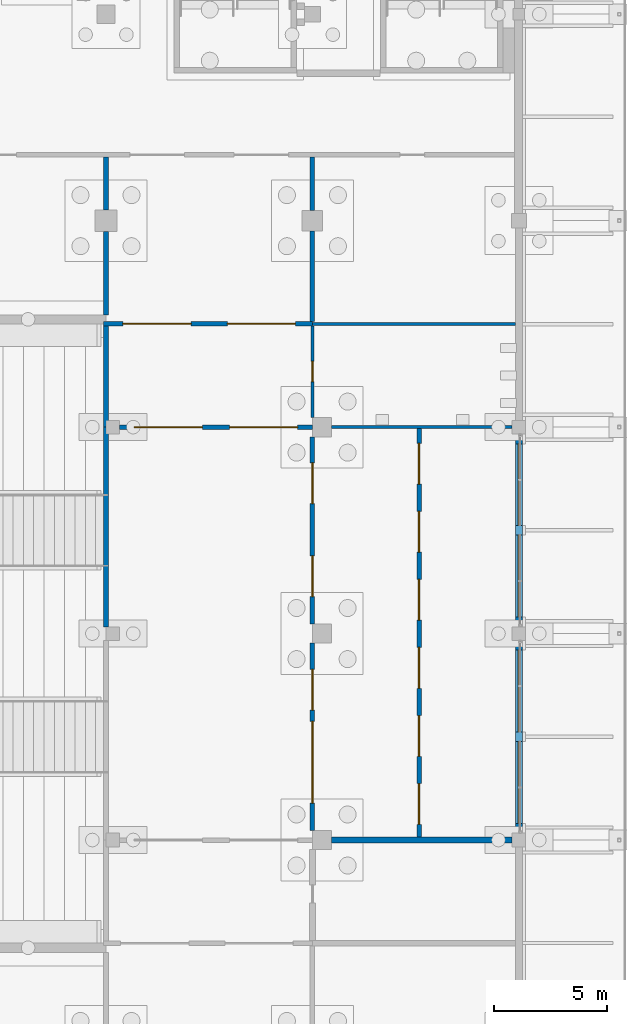
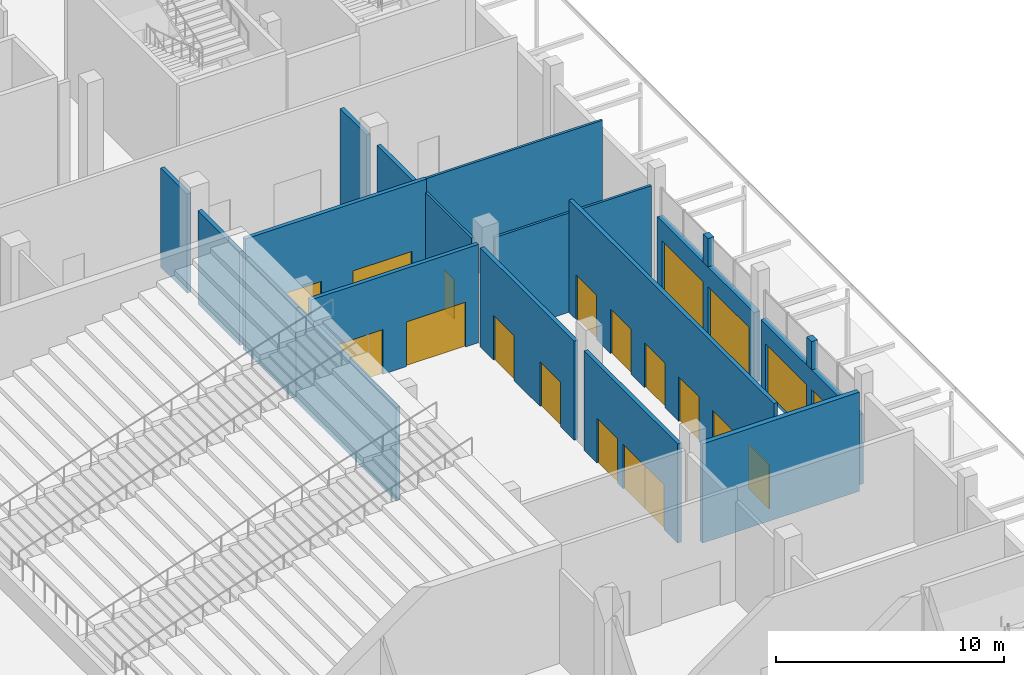
# One storey, part 85 of 129: 20 doors, 19 walls, 20 openings.
"""IFC4 building model written with IfcOpenShell, lengths in metres."""

from ifc_helpers import new_model, si_unit, direction, frame, frame_2d, origin, place, context, subcontext, project, spatial, rectangle, extrude, material, layer, layer_set, type_object, element, fill, save


model = new_model("IFC4")

# Units and contexts
model_context = context("Model", 3, precision=1e-05, world=origin(), true_north=direction((0.0, 1.0)))
body_context = subcontext(model_context, "Body", "Model", "MODEL_VIEW")
ifc_project = project(units=[si_unit("LENGTHUNIT", "METRE"), si_unit("AREAUNIT", "SQUARE_METRE"), si_unit("VOLUMEUNIT", "CUBIC_METRE"), si_unit("PLANEANGLEUNIT", "RADIAN"), si_unit("MASSUNIT", "GRAM", prefix="KILO")], contexts=[model_context])

# Site, building, storey
site_placement = place(None, origin())
site = spatial("IfcSite", under=ifc_project, at=site_placement, CompositionType="ELEMENT")
building_placement = place(site_placement, origin())
building = spatial("IfcBuilding", under=site, at=building_placement, Name="Shirokan Park Arena", CompositionType="ELEMENT")
storey_placement = place(building_placement, origin())
storey = spatial("IfcBuildingStorey", under=building, at=storey_placement, Name="L00", CompositionType="ELEMENT", Elevation=0.0)

# Wall, openings, doors
ifc_material_1 = material(Name="Board-formed concrete C40/50", Category="concrete")
ifc_layer_1 = layer(ifc_material_1, 0.1201171875, Name="Board-formed concrete C40/50")
ifc_material_2 = material(Name="Mineral wool insulation")
ifc_layer_2 = layer(ifc_material_2, 0.10009765625, Name="Mineral wool insulation")
ifc_material_3 = material(Name="Concrete C35", Category="concrete")
ifc_layer_3 = layer(ifc_material_3, 0.080078125, Name="Concrete C35")
ifc_layer_set_1 = layer_set([ifc_layer_1, ifc_layer_2, ifc_layer_3], Name="Board-formed concrete C40/50 + Mineral wool insulation + Concrete C35")
wall_type_1 = type_object("IfcWallType", Name="Board-formed concrete base wall 300", PredefinedType="SOLIDWALL", material=ifc_layer_set_1)
wall_1_placement = place(storey_placement, frame((145.60009765625, 45.800048828125, 0.0), z_axis=(0.0, 0.0, 1.0), x_axis=(0.0, 1.0, 0.0)))
wall_1 = element("IfcWall", 1, at=wall_1_placement, inside=storey, type_object=wall_type_1, Name="East facade wall bay 6 L00", PredefinedType="SOLIDWALL", context=body_context, shape_type="SweptSolid", body=[
    extrude(rectangle(XDim=8.5, YDim=0.300048828125, at=frame_2d((4.25, 0.0))), origin(), (0.0, 0.0, 1.0), 3.75),
])
opening_1_placement = place(wall_1_placement, frame((0.43505859375, 0.0, 0.0)))
opening_1 = element("IfcOpeningElement", 2, at=opening_1_placement, cuts=wall_1, Name="Opening E2-1", PredefinedType="OPENING", context=body_context, shape_type="SweptSolid", body=[
    extrude(rectangle(XDim=3.60009765625, YDim=2.699951171875, at=frame_2d((1.800048828125, 1.35009765625))), frame((0.0, 0.159912109375, 0.0), z_axis=(0.0, -1.0, 0.0), x_axis=(1.0, 0.0, 0.0)), (0.0, 0.0, 1.0), 0.320068359375),
])
opening_2_placement = place(wall_1_placement, frame((4.465087890625, 0.0, 0.0)))
opening_2 = element("IfcOpeningElement", 3, at=opening_2_placement, cuts=wall_1, Name="Opening E2-2", PredefinedType="OPENING", context=body_context, shape_type="SweptSolid", body=[
    extrude(rectangle(XDim=3.60009765625, YDim=2.699951171875, at=frame_2d((1.800048828125, 1.35009765625))), frame((0.0, 0.159912109375, 0.0), z_axis=(0.0, -1.0, 0.0), x_axis=(1.0, 0.0, 0.0)), (0.0, 0.0, 1.0), 0.320068359375),
])
ifc_material_4 = material(Name="Aluminium and glass door", Category="aluminium")
door_type_1 = type_object("IfcDoorType", Name="Entrance door pair 3600x2700", OperationType="DOUBLE_DOOR_SINGLE_SWING", PredefinedType="DOOR", material=ifc_material_4)
door_1_placement = place(opening_1_placement, frame((3.60009765625, 0.0, 0.0), z_axis=(0.0, 0.0, 1.0), x_axis=(-1.0, 0.0, 0.0)))
door_1 = element("IfcDoor", 4, at=door_1_placement, inside=storey, type_object=door_type_1, Name="Entrance E2 door 1", OperationType="DOUBLE_DOOR_SINGLE_SWING", OverallHeight=2.699951171875, OverallWidth=3.60009765625, PredefinedType="DOOR", context=body_context, shape_type="SweptSolid", body=[
    extrude(rectangle(XDim=3.60009765625, YDim=2.699951171875, at=frame_2d((1.800048828125, 1.35009765625))), frame((0.0, 0.02490234375, 0.0), z_axis=(0.0, -1.0, 0.0), x_axis=(1.0, 0.0, 0.0)), (0.0, 0.0, 1.0), 0.050048828125),
])
fill(opening_1, door_1)
door_2_placement = place(opening_2_placement, frame((3.60009765625, 0.0, 0.0), z_axis=(0.0, 0.0, 1.0), x_axis=(-1.0, 0.0, 0.0)))
door_2 = element("IfcDoor", 5, at=door_2_placement, inside=storey, type_object=door_type_1, Name="Entrance E2 door 2", OperationType="DOUBLE_DOOR_SINGLE_SWING", OverallHeight=2.699951171875, OverallWidth=3.60009765625, PredefinedType="DOOR", context=body_context, shape_type="SweptSolid", body=[
    extrude(rectangle(XDim=3.60009765625, YDim=2.699951171875, at=frame_2d((1.800048828125, 1.35009765625))), frame((0.0, 0.02490234375, 0.0), z_axis=(0.0, -1.0, 0.0), x_axis=(1.0, 0.0, 0.0)), (0.0, 0.0, 1.0), 0.050048828125),
])
fill(opening_2, door_2)

# Wall
wall_2_placement = place(storey_placement, frame((145.60009765625, 49.8349609375, 3.75), z_axis=(0.0, 0.0, 1.0), x_axis=(0.0, 1.0, 0.0)))
element("IfcWall", 6, at=wall_2_placement, inside=storey, type_object=wall_type_1, Name="East facade pier over the doors bay 6 L00", PredefinedType="SOLIDWALL", context=body_context, shape_type="SweptSolid", body=[
    extrude(rectangle(XDim=0.429931640625, YDim=0.300048828125, at=frame_2d((0.21484375, 0.0))), origin(), (0.0, 0.0, 1.0), 1.52001953125),
])

# Wall, openings, doors
wall_3_placement = place(storey_placement, frame((145.60009765625, 54.89990234375, 0.0), z_axis=(0.0, 0.0, 1.0), x_axis=(0.0, 1.0, 0.0)))
wall_3 = element("IfcWall", 7, at=wall_3_placement, inside=storey, type_object=wall_type_1, Name="East facade wall bay 7 L00", PredefinedType="SOLIDWALL", context=body_context, shape_type="SweptSolid", body=[
    extrude(rectangle(XDim=8.5, YDim=0.300048828125, at=frame_2d((4.25, 0.0))), origin(), (0.0, 0.0, 1.0), 3.75),
])
opening_3_placement = place(wall_3_placement, frame((0.43505859375, 0.0, 0.0)))
opening_3 = element("IfcOpeningElement", 8, at=opening_3_placement, cuts=wall_3, Name="Opening E2-3", PredefinedType="OPENING", context=body_context, shape_type="SweptSolid", body=[
    extrude(rectangle(XDim=3.60009765625, YDim=2.699951171875, at=frame_2d((1.800048828125, 1.35009765625))), frame((0.0, 0.159912109375, 0.0), z_axis=(0.0, -1.0, 0.0), x_axis=(1.0, 0.0, 0.0)), (0.0, 0.0, 1.0), 0.320068359375),
])
opening_4_placement = place(wall_3_placement, frame((4.465087890625, 0.0, 0.0)))
opening_4 = element("IfcOpeningElement", 9, at=opening_4_placement, cuts=wall_3, Name="Opening E2-4", PredefinedType="OPENING", context=body_context, shape_type="SweptSolid", body=[
    extrude(rectangle(XDim=3.60009765625, YDim=2.699951171875, at=frame_2d((1.800048828125, 1.35009765625))), frame((0.0, 0.159912109375, 0.0), z_axis=(0.0, -1.0, 0.0), x_axis=(1.0, 0.0, 0.0)), (0.0, 0.0, 1.0), 0.320068359375),
])
door_3_placement = place(opening_3_placement, frame((3.60009765625, 0.0, 0.0), z_axis=(0.0, 0.0, 1.0), x_axis=(-1.0, 0.0, 0.0)))
door_3 = element("IfcDoor", 10, at=door_3_placement, inside=storey, type_object=door_type_1, Name="Entrance E2 door 3", OperationType="DOUBLE_DOOR_SINGLE_SWING", OverallHeight=2.699951171875, OverallWidth=3.60009765625, PredefinedType="DOOR", context=body_context, shape_type="SweptSolid", body=[
    extrude(rectangle(XDim=3.60009765625, YDim=2.699951171875, at=frame_2d((1.800048828125, 1.35009765625))), frame((0.0, 0.02490234375, 0.0), z_axis=(0.0, -1.0, 0.0), x_axis=(1.0, 0.0, 0.0)), (0.0, 0.0, 1.0), 0.050048828125),
])
fill(opening_3, door_3)
door_4_placement = place(opening_4_placement, frame((3.60009765625, 0.0, 0.0), z_axis=(0.0, 0.0, 1.0), x_axis=(-1.0, 0.0, 0.0)))
door_4 = element("IfcDoor", 11, at=door_4_placement, inside=storey, type_object=door_type_1, Name="Entrance E2 door 4", OperationType="DOUBLE_DOOR_SINGLE_SWING", OverallHeight=2.699951171875, OverallWidth=3.60009765625, PredefinedType="DOOR", context=body_context, shape_type="SweptSolid", body=[
    extrude(rectangle(XDim=3.60009765625, YDim=2.699951171875, at=frame_2d((1.800048828125, 1.35009765625))), frame((0.0, 0.02490234375, 0.0), z_axis=(0.0, -1.0, 0.0), x_axis=(1.0, 0.0, 0.0)), (0.0, 0.0, 1.0), 0.050048828125),
])
fill(opening_4, door_4)

# Walls
wall_4_placement = place(storey_placement, frame((145.60009765625, 58.93505859375, 3.75), z_axis=(0.0, 0.0, 1.0), x_axis=(0.0, 1.0, 0.0)))
element("IfcWall", 12, at=wall_4_placement, inside=storey, type_object=wall_type_1, Name="East facade pier over the doors bay 7 L00", PredefinedType="SOLIDWALL", context=body_context, shape_type="SweptSolid", body=[
    extrude(rectangle(XDim=0.429931640625, YDim=0.300048828125, at=frame_2d((0.21484375, 0.0))), origin(), (0.0, 0.0, 1.0), 1.52001953125),
])
ifc_material_5 = material(Name="Plaster")
ifc_layer_4 = layer(ifc_material_5, 0.014892578125, Name="Plaster")
ifc_material_6 = material(Name="Concrete blockwork", Category="masonry")
ifc_layer_5 = layer(ifc_material_6, 0.219970703125, Name="Concrete blockwork 220")
ifc_layer_6 = layer(ifc_material_5, 0.014892578125, Name="Plaster")
ifc_layer_set_2 = layer_set([ifc_layer_4, ifc_layer_5, ifc_layer_6], Name="Plaster + Concrete blockwork 220")
wall_type_2 = type_object("IfcWallType", Name="Compartment wall 250", PredefinedType="SOLIDWALL", material=ifc_layer_set_2)
wall_5_placement = place(storey_placement, frame((137.35009765625, 45.5, 0.0), z_axis=(0.0, 0.0, 1.0), x_axis=(1.0, 0.0, 0.0)))
element("IfcWall", 13, at=wall_5_placement, inside=storey, type_object=wall_type_2, Name="Compartment wall 250 L00", PredefinedType="SOLIDWALL", context=body_context, shape_type="SweptSolid", body=[
    extrude(rectangle(XDim=7.949951171875, YDim=0.25, at=frame_2d((3.97509765625, 0.0))), origin(), (0.0, 0.0, 1.0), 5.320068359375),
])
ifc_material_7 = material(Name="Gypsum board")
ifc_layer_7 = layer(ifc_material_7, 0.02490234375, Name="Gypsum board, two layers")
ifc_layer_8 = layer(ifc_material_2, 0.14990234375, Name="Mineral wool insulation")
ifc_layer_9 = layer(ifc_material_7, 0.02490234375, Name="Gypsum board, two layers")
ifc_layer_set_3 = layer_set([ifc_layer_7, ifc_layer_8, ifc_layer_9], Name="Gypsum board, two layers + Mineral wool insulation")
wall_type_3 = type_object("IfcWallType", Name="Corridor wall 200", PredefinedType="PARTITIONING", material=ifc_layer_set_3)
wall_6_placement = place(storey_placement, frame((127.39990234375, 54.89990234375, 0.0), z_axis=(0.0, 0.0, 1.0), x_axis=(0.0, 1.0, 0.0)))
element("IfcWall", 14, at=wall_6_placement, inside=storey, type_object=wall_type_3, Name="Corridor wall 200 L00", PredefinedType="PARTITIONING", context=body_context, shape_type="SweptSolid", body=[
    extrude(rectangle(XDim=8.800048828125, YDim=0.199951171875, at=frame_2d((4.39990234375, 0.0))), origin(), (0.0, 0.0, 1.0), 5.02001953125),
])
wall_7_placement = place(storey_placement, frame((127.39990234375, 63.699951171875, 0.0), z_axis=(0.0, 0.0, 1.0), x_axis=(0.0, 1.0, 0.0)))
element("IfcWall", 15, at=wall_7_placement, inside=storey, type_object=wall_type_3, Name="Corridor wall 200 L00", PredefinedType="PARTITIONING", context=body_context, shape_type="SweptSolid", body=[
    extrude(rectangle(XDim=4.449951171875, YDim=0.199951171875, at=frame_2d((2.22509765625, 0.0))), origin(), (0.0, 0.0, 1.0), 5.02001953125),
])
wall_8_placement = place(storey_placement, frame((127.39990234375, 72.324951171875, 0.0), z_axis=(0.0, 0.0, 1.0), x_axis=(0.0, -1.0, 0.0)))
element("IfcWall", 16, at=wall_8_placement, inside=storey, type_object=wall_type_3, Name="Corridor wall 200 L00", PredefinedType="PARTITIONING", context=body_context, shape_type="SweptSolid", body=[
    extrude(rectangle(XDim=3.675048828125, YDim=0.199951171875, at=frame_2d((1.83740234375, 0.0))), origin(), (0.0, 0.0, 1.0), 5.02001953125),
])
wall_9_placement = place(storey_placement, frame((127.39990234375, 75.60009765625, 0.0), z_axis=(0.0, 0.0, 1.0), x_axis=(0.0, -1.0, 0.0)))
element("IfcWall", 17, at=wall_9_placement, inside=storey, type_object=wall_type_3, Name="Corridor wall 200 L00", PredefinedType="PARTITIONING", context=body_context, shape_type="SweptSolid", body=[
    extrude(rectangle(XDim=2.3251953125, YDim=0.199951171875, at=frame_2d((1.16259765625, 0.0))), origin(), (0.0, 0.0, 1.0), 5.320068359375),
])

# Wall, openings, doors
wall_10_placement = place(storey_placement, frame((136.5, 54.175048828125, 0.0), z_axis=(0.0, 0.0, 1.0), x_axis=(0.0, -1.0, 0.0)))
wall_10 = element("IfcWall", 18, at=wall_10_placement, inside=storey, type_object=wall_type_3, Name="Corridor wall 200 L00", PredefinedType="PARTITIONING", context=body_context, shape_type="SweptSolid", body=[
    extrude(rectangle(XDim=8.25, YDim=0.199951171875, at=frame_2d((4.125, 0.0))), origin(), (0.0, 0.0, 1.0), 5.320068359375),
])
opening_5_placement = place(wall_10_placement, frame((1.14990234375, 0.0, 0.0)))
opening_5 = element("IfcOpeningElement", 19, at=opening_5_placement, cuts=wall_10, Name="Opening D-0105", PredefinedType="OPENING", context=body_context, shape_type="SweptSolid", body=[
    extrude(rectangle(XDim=1.800048828125, YDim=2.39990234375, at=frame_2d((0.89990234375, 1.199951171875))), frame((0.0, 0.10986328125, 0.0), z_axis=(0.0, -1.0, 0.0), x_axis=(1.0, 0.0, 0.0)), (0.0, 0.0, 1.0), 0.219970703125),
])
opening_6_placement = place(wall_10_placement, frame((5.25, 0.0, 0.0)))
opening_6 = element("IfcOpeningElement", 20, at=opening_6_placement, cuts=wall_10, Name="Opening D-0106", PredefinedType="OPENING", context=body_context, shape_type="SweptSolid", body=[
    extrude(rectangle(XDim=1.800048828125, YDim=2.39990234375, at=frame_2d((0.89990234375, 1.199951171875))), frame((0.0, 0.10986328125, 0.0), z_axis=(0.0, -1.0, 0.0), x_axis=(1.0, 0.0, 0.0)), (0.0, 0.0, 1.0), 0.219970703125),
])
opening_7_placement = place(wall_10_placement, frame((3.449951171875, 0.0, 0.0)))
opening_7 = element("IfcOpeningElement", 21, at=opening_7_placement, cuts=wall_10, Name="Opening D-0107", PredefinedType="OPENING", context=body_context, shape_type="SweptSolid", body=[
    extrude(rectangle(XDim=1.800048828125, YDim=2.39990234375, at=frame_2d((0.89990234375, 1.199951171875))), frame((0.0, 0.10986328125, 0.0), z_axis=(0.0, -1.0, 0.0), x_axis=(1.0, 0.0, 0.0)), (0.0, 0.0, 1.0), 0.219970703125),
])
ifc_material_8 = material(Name="Glazed steel door set, fire resisting", Category="steel")
door_type_2 = type_object("IfcDoorType", Name="Lift lobby door 1800 x 2400", OperationType="DOUBLE_DOOR_SINGLE_SWING", PredefinedType="DOOR", material=ifc_material_8)
door_5_placement = place(opening_5_placement, origin())
door_5 = element("IfcDoor", 22, at=door_5_placement, inside=storey, type_object=door_type_2, Name="Door between Entrance Concourse E2 and Security Screening Hall E2 D-0105", OperationType="DOUBLE_DOOR_SINGLE_SWING", OverallHeight=2.39990234375, OverallWidth=1.800048828125, PredefinedType="DOOR", context=body_context, shape_type="SweptSolid", body=[
    extrude(rectangle(XDim=1.800048828125, YDim=2.39990234375, at=frame_2d((0.89990234375, 1.199951171875))), frame((0.0, 0.02490234375, 0.0), z_axis=(0.0, -1.0, 0.0), x_axis=(1.0, 0.0, 0.0)), (0.0, 0.0, 1.0), 0.050048828125),
])
fill(opening_5, door_5)
door_6_placement = place(opening_6_placement, origin())
door_6 = element("IfcDoor", 23, at=door_6_placement, inside=storey, type_object=door_type_2, Name="Door between Entrance Concourse E2 and Security Screening Hall E2 D-0106", OperationType="DOUBLE_DOOR_SINGLE_SWING", OverallHeight=2.39990234375, OverallWidth=1.800048828125, PredefinedType="DOOR", context=body_context, shape_type="SweptSolid", body=[
    extrude(rectangle(XDim=1.800048828125, YDim=2.39990234375, at=frame_2d((0.89990234375, 1.199951171875))), frame((0.0, 0.02490234375, 0.0), z_axis=(0.0, -1.0, 0.0), x_axis=(1.0, 0.0, 0.0)), (0.0, 0.0, 1.0), 0.050048828125),
])
fill(opening_6, door_6)
door_7_placement = place(opening_7_placement, origin())
door_7 = element("IfcDoor", 24, at=door_7_placement, inside=storey, type_object=door_type_2, Name="Door between Entrance Concourse E2 and Security Screening Hall E2 D-0107", OperationType="DOUBLE_DOOR_SINGLE_SWING", OverallHeight=2.39990234375, OverallWidth=1.800048828125, PredefinedType="DOOR", context=body_context, shape_type="SweptSolid", body=[
    extrude(rectangle(XDim=1.800048828125, YDim=2.39990234375, at=frame_2d((0.89990234375, 1.199951171875))), frame((0.0, 0.02490234375, 0.0), z_axis=(0.0, -1.0, 0.0), x_axis=(1.0, 0.0, 0.0)), (0.0, 0.0, 1.0), 0.050048828125),
])
fill(opening_7, door_7)

wall_11_placement = place(storey_placement, frame((136.5, 63.27490234375, 0.0), z_axis=(0.0, 0.0, 1.0), x_axis=(0.0, -1.0, 0.0)))
wall_11 = element("IfcWall", 25, at=wall_11_placement, inside=storey, type_object=wall_type_3, Name="Corridor wall 200 L00", PredefinedType="PARTITIONING", context=body_context, shape_type="SweptSolid", body=[
    extrude(rectangle(XDim=8.25, YDim=0.199951171875, at=frame_2d((4.125, 0.0))), origin(), (0.0, 0.0, 1.0), 5.320068359375),
])
opening_8_placement = place(wall_11_placement, frame((1.14990234375, 0.0, 0.0)))
opening_8 = element("IfcOpeningElement", 26, at=opening_8_placement, cuts=wall_11, Name="Opening D-0108", PredefinedType="OPENING", context=body_context, shape_type="SweptSolid", body=[
    extrude(rectangle(XDim=1.800048828125, YDim=2.39990234375, at=frame_2d((0.89990234375, 1.199951171875))), frame((0.0, 0.10986328125, 0.0), z_axis=(0.0, -1.0, 0.0), x_axis=(1.0, 0.0, 0.0)), (0.0, 0.0, 1.0), 0.219970703125),
])
opening_9_placement = place(wall_11_placement, frame((5.25, 0.0, 0.0)))
opening_9 = element("IfcOpeningElement", 27, at=opening_9_placement, cuts=wall_11, Name="Opening D-0109", PredefinedType="OPENING", context=body_context, shape_type="SweptSolid", body=[
    extrude(rectangle(XDim=1.800048828125, YDim=2.39990234375, at=frame_2d((0.89990234375, 1.199951171875))), frame((0.0, 0.10986328125, 0.0), z_axis=(0.0, -1.0, 0.0), x_axis=(1.0, 0.0, 0.0)), (0.0, 0.0, 1.0), 0.219970703125),
])
door_8_placement = place(opening_8_placement, origin())
door_8 = element("IfcDoor", 28, at=door_8_placement, inside=storey, type_object=door_type_2, Name="Door between Entrance Concourse E2 and Security Screening Hall E2 D-0108", OperationType="DOUBLE_DOOR_SINGLE_SWING", OverallHeight=2.39990234375, OverallWidth=1.800048828125, PredefinedType="DOOR", context=body_context, shape_type="SweptSolid", body=[
    extrude(rectangle(XDim=1.800048828125, YDim=2.39990234375, at=frame_2d((0.89990234375, 1.199951171875))), frame((0.0, 0.02490234375, 0.0), z_axis=(0.0, -1.0, 0.0), x_axis=(1.0, 0.0, 0.0)), (0.0, 0.0, 1.0), 0.050048828125),
])
fill(opening_8, door_8)
door_9_placement = place(opening_9_placement, origin())
door_9 = element("IfcDoor", 29, at=door_9_placement, inside=storey, type_object=door_type_2, Name="Door between Entrance Concourse E2 and Security Screening Hall E2 D-0109", OperationType="DOUBLE_DOOR_SINGLE_SWING", OverallHeight=2.39990234375, OverallWidth=1.800048828125, PredefinedType="DOOR", context=body_context, shape_type="SweptSolid", body=[
    extrude(rectangle(XDim=1.800048828125, YDim=2.39990234375, at=frame_2d((0.89990234375, 1.199951171875))), frame((0.0, 0.02490234375, 0.0), z_axis=(0.0, -1.0, 0.0), x_axis=(1.0, 0.0, 0.0)), (0.0, 0.0, 1.0), 0.050048828125),
])
fill(opening_9, door_9)

wall_12_placement = place(storey_placement, frame((136.5, 63.699951171875, 0.0), z_axis=(0.0, 0.0, 1.0), x_axis=(-1.0, 0.0, 0.0)))
wall_12 = element("IfcWall", 30, at=wall_12_placement, inside=storey, type_object=wall_type_3, Name="Corridor wall 200 L00", PredefinedType="PARTITIONING", context=body_context, shape_type="SweptSolid", body=[
    extrude(rectangle(XDim=8.5, YDim=0.199951171875, at=frame_2d((4.25, 0.0))), origin(), (0.0, 0.0, 1.0), 5.27001953125),
])
opening_10_placement = place(wall_12_placement, frame((0.64990234375, 0.0, 0.0)))
opening_10 = element("IfcOpeningElement", 31, at=opening_10_placement, cuts=wall_12, Name="Opening D-0110", PredefinedType="OPENING", context=body_context, shape_type="SweptSolid", body=[
    extrude(rectangle(XDim=3.0, YDim=2.39990234375, at=frame_2d((1.5, 1.199951171875))), frame((0.0, 0.10986328125, 0.0), z_axis=(0.0, -1.0, 0.0), x_axis=(1.0, 0.0, 0.0)), (0.0, 0.0, 1.0), 0.219970703125),
])
opening_11_placement = place(wall_12_placement, frame((4.85009765625, 0.0, 0.0)))
opening_11 = element("IfcOpeningElement", 32, at=opening_11_placement, cuts=wall_12, Name="Opening D-0111", PredefinedType="OPENING", context=body_context, shape_type="SweptSolid", body=[
    extrude(rectangle(XDim=3.0, YDim=2.39990234375, at=frame_2d((1.5, 1.199951171875))), frame((0.0, 0.10986328125, 0.0), z_axis=(0.0, -1.0, 0.0), x_axis=(1.0, 0.0, 0.0)), (0.0, 0.0, 1.0), 0.219970703125),
])
door_type_3 = type_object("IfcDoorType", Name="Concourse door 3000 x 2400", OperationType="DOUBLE_DOOR_SINGLE_SWING", PredefinedType="DOOR", material=ifc_material_8)
door_10_placement = place(opening_10_placement, origin())
door_10 = element("IfcDoor", 33, at=door_10_placement, inside=storey, type_object=door_type_3, Name="Door between Entrance Concourse E2 and Ticket Hall North E2 D-0110", OperationType="DOUBLE_DOOR_SINGLE_SWING", OverallHeight=2.39990234375, OverallWidth=3.0, PredefinedType="DOOR", context=body_context, shape_type="SweptSolid", body=[
    extrude(rectangle(XDim=3.0, YDim=2.39990234375, at=frame_2d((1.5, 1.199951171875))), frame((0.0, 0.02490234375, 0.0), z_axis=(0.0, -1.0, 0.0), x_axis=(1.0, 0.0, 0.0)), (0.0, 0.0, 1.0), 0.050048828125),
])
fill(opening_10, door_10)
door_11_placement = place(opening_11_placement, origin())
door_11 = element("IfcDoor", 34, at=door_11_placement, inside=storey, type_object=door_type_3, Name="Door between Entrance Concourse E2 and Ticket Hall North E2 D-0111", OperationType="DOUBLE_DOOR_SINGLE_SWING", OverallHeight=2.39990234375, OverallWidth=3.0, PredefinedType="DOOR", context=body_context, shape_type="SweptSolid", body=[
    extrude(rectangle(XDim=3.0, YDim=2.39990234375, at=frame_2d((1.5, 1.199951171875))), frame((0.0, 0.02490234375, 0.0), z_axis=(0.0, -1.0, 0.0), x_axis=(1.0, 0.0, 0.0)), (0.0, 0.0, 1.0), 0.050048828125),
])
fill(opening_11, door_11)

wall_13_placement = place(storey_placement, frame((136.5, 68.25, 0.0), z_axis=(0.0, 0.0, 1.0), x_axis=(-1.0, 0.0, 0.0)))
wall_13 = element("IfcWall", 35, at=wall_13_placement, inside=storey, type_object=wall_type_3, Name="Corridor wall 200 L00", PredefinedType="PARTITIONING", context=body_context, shape_type="SweptSolid", body=[
    extrude(rectangle(XDim=9.199951171875, YDim=0.199951171875, at=frame_2d((4.60009765625, 0.0))), origin(), (0.0, 0.0, 1.0), 6.02001953125),
])
opening_12_placement = place(wall_13_placement, frame((0.75, 0.0, 0.0)))
opening_12 = element("IfcOpeningElement", 36, at=opening_12_placement, cuts=wall_13, Name="Opening D-0085", PredefinedType="OPENING", context=body_context, shape_type="SweptSolid", body=[
    extrude(rectangle(XDim=3.0, YDim=2.39990234375, at=frame_2d((1.5, 1.199951171875))), frame((0.0, 0.10986328125, 0.0), z_axis=(0.0, -1.0, 0.0), x_axis=(1.0, 0.0, 0.0)), (0.0, 0.0, 1.0), 0.219970703125),
])
opening_13_placement = place(wall_13_placement, frame((5.35009765625, 0.0, 0.0)))
opening_13 = element("IfcOpeningElement", 37, at=opening_13_placement, cuts=wall_13, Name="Opening D-0086", PredefinedType="OPENING", context=body_context, shape_type="SweptSolid", body=[
    extrude(rectangle(XDim=3.0, YDim=2.39990234375, at=frame_2d((1.5, 1.199951171875))), frame((0.0, 0.10986328125, 0.0), z_axis=(0.0, -1.0, 0.0), x_axis=(1.0, 0.0, 0.0)), (0.0, 0.0, 1.0), 0.219970703125),
])
door_12_placement = place(opening_12_placement, origin())
door_12 = element("IfcDoor", 38, at=door_12_placement, inside=storey, type_object=door_type_3, Name="Door between Concourse Link 3.0 and Ticket Hall North E2 D-0085", OperationType="DOUBLE_DOOR_SINGLE_SWING", OverallHeight=2.39990234375, OverallWidth=3.0, PredefinedType="DOOR", context=body_context, shape_type="SweptSolid", body=[
    extrude(rectangle(XDim=3.0, YDim=2.39990234375, at=frame_2d((1.5, 1.199951171875))), frame((0.0, 0.02490234375, 0.0), z_axis=(0.0, -1.0, 0.0), x_axis=(1.0, 0.0, 0.0)), (0.0, 0.0, 1.0), 0.050048828125),
])
fill(opening_12, door_12)
door_13_placement = place(opening_13_placement, origin())
door_13 = element("IfcDoor", 39, at=door_13_placement, inside=storey, type_object=door_type_3, Name="Door between Concourse Link 3.0 and Ticket Hall North E2 D-0086", OperationType="DOUBLE_DOOR_SINGLE_SWING", OverallHeight=2.39990234375, OverallWidth=3.0, PredefinedType="DOOR", context=body_context, shape_type="SweptSolid", body=[
    extrude(rectangle(XDim=3.0, YDim=2.39990234375, at=frame_2d((1.5, 1.199951171875))), frame((0.0, 0.02490234375, 0.0), z_axis=(0.0, -1.0, 0.0), x_axis=(1.0, 0.0, 0.0)), (0.0, 0.0, 1.0), 0.050048828125),
])
fill(opening_13, door_13)

# Walls
wall_14_placement = place(storey_placement, frame((136.5, 68.35009765625, 0.0), z_axis=(0.0, 0.0, 1.0), x_axis=(0.0, 1.0, 0.0)))
element("IfcWall", 40, at=wall_14_placement, inside=storey, type_object=wall_type_3, Name="Corridor wall 200 L00", PredefinedType="PARTITIONING", context=body_context, shape_type="SweptSolid", body=[
    extrude(rectangle(XDim=4.0, YDim=0.199951171875, at=frame_2d((2.0, 0.0))), origin(), (0.0, 0.0, 1.0), 5.320068359375),
])
wall_15_placement = place(storey_placement, frame((136.5, 73.25, 0.0), z_axis=(0.0, 0.0, 1.0), x_axis=(0.0, 1.0, 0.0)))
element("IfcWall", 41, at=wall_15_placement, inside=storey, type_object=wall_type_3, Name="Corridor wall 200 L00", PredefinedType="PARTITIONING", context=body_context, shape_type="SweptSolid", body=[
    extrude(rectangle(XDim=2.35009765625, YDim=0.199951171875, at=frame_2d((1.175048828125, 0.0))), origin(), (0.0, 0.0, 1.0), 5.320068359375),
])

# Wall, openings, doors
wall_16_placement = place(storey_placement, frame((141.199951171875, 63.637451171875, 0.0), z_axis=(0.0, 0.0, 1.0), x_axis=(0.0, -1.0, 0.0)))
wall_16 = element("IfcWall", 42, at=wall_16_placement, inside=storey, type_object=wall_type_3, Name="Corridor wall 200 L00", PredefinedType="PARTITIONING", context=body_context, shape_type="SweptSolid", body=[
    extrude(rectangle(XDim=18.012451171875, YDim=0.199951171875, at=frame_2d((9.00634765625, 0.0))), origin(), (0.0, 0.0, 1.0), 6.02001953125),
])
opening_14_placement = place(wall_16_placement, frame((0.64990234375, 0.0, 0.0)))
opening_14 = element("IfcOpeningElement", 43, at=opening_14_placement, cuts=wall_16, Name="Opening D-0114", PredefinedType="OPENING", context=body_context, shape_type="SweptSolid", body=[
    extrude(rectangle(XDim=1.800048828125, YDim=2.39990234375, at=frame_2d((0.89990234375, 1.199951171875))), frame((0.0, 0.10986328125, 0.0), z_axis=(0.0, -1.0, 0.0), x_axis=(1.0, 0.0, 0.0)), (0.0, 0.0, 1.0), 0.219970703125),
])
opening_15_placement = place(wall_16_placement, frame((3.64990234375, 0.0, 0.0)))
opening_15 = element("IfcOpeningElement", 44, at=opening_15_placement, cuts=wall_16, Name="Opening D-0115", PredefinedType="OPENING", context=body_context, shape_type="SweptSolid", body=[
    extrude(rectangle(XDim=1.800048828125, YDim=2.39990234375, at=frame_2d((0.89990234375, 1.199951171875))), frame((0.0, 0.10986328125, 0.0), z_axis=(0.0, -1.0, 0.0), x_axis=(1.0, 0.0, 0.0)), (0.0, 0.0, 1.0), 0.219970703125),
])
opening_16_placement = place(wall_16_placement, frame((6.64990234375, 0.0, 0.0)))
opening_16 = element("IfcOpeningElement", 45, at=opening_16_placement, cuts=wall_16, Name="Opening D-0116", PredefinedType="OPENING", context=body_context, shape_type="SweptSolid", body=[
    extrude(rectangle(XDim=1.800048828125, YDim=2.39990234375, at=frame_2d((0.89990234375, 1.199951171875))), frame((0.0, 0.10986328125, 0.0), z_axis=(0.0, -1.0, 0.0), x_axis=(1.0, 0.0, 0.0)), (0.0, 0.0, 1.0), 0.219970703125),
])
opening_17_placement = place(wall_16_placement, frame((9.64990234375, 0.0, 0.0)))
opening_17 = element("IfcOpeningElement", 46, at=opening_17_placement, cuts=wall_16, Name="Opening D-0117", PredefinedType="OPENING", context=body_context, shape_type="SweptSolid", body=[
    extrude(rectangle(XDim=1.800048828125, YDim=2.39990234375, at=frame_2d((0.89990234375, 1.199951171875))), frame((0.0, 0.10986328125, 0.0), z_axis=(0.0, -1.0, 0.0), x_axis=(1.0, 0.0, 0.0)), (0.0, 0.0, 1.0), 0.219970703125),
])
opening_18_placement = place(wall_16_placement, frame((12.64990234375, 0.0, 0.0)))
opening_18 = element("IfcOpeningElement", 47, at=opening_18_placement, cuts=wall_16, Name="Opening D-0118", PredefinedType="OPENING", context=body_context, shape_type="SweptSolid", body=[
    extrude(rectangle(XDim=1.800048828125, YDim=2.39990234375, at=frame_2d((0.89990234375, 1.199951171875))), frame((0.0, 0.10986328125, 0.0), z_axis=(0.0, -1.0, 0.0), x_axis=(1.0, 0.0, 0.0)), (0.0, 0.0, 1.0), 0.219970703125),
])
opening_19_placement = place(wall_16_placement, frame((15.64990234375, 0.0, 0.0)))
opening_19 = element("IfcOpeningElement", 48, at=opening_19_placement, cuts=wall_16, Name="Opening D-0119", PredefinedType="OPENING", context=body_context, shape_type="SweptSolid", body=[
    extrude(rectangle(XDim=1.800048828125, YDim=2.39990234375, at=frame_2d((0.89990234375, 1.199951171875))), frame((0.0, 0.10986328125, 0.0), z_axis=(0.0, -1.0, 0.0), x_axis=(1.0, 0.0, 0.0)), (0.0, 0.0, 1.0), 0.219970703125),
])
door_14_placement = place(opening_14_placement, origin())
door_14 = element("IfcDoor", 49, at=door_14_placement, inside=storey, type_object=door_type_2, Name="Door between Entrance Foyer E2 and Security Screening Hall E2 D-0114", OperationType="DOUBLE_DOOR_SINGLE_SWING", OverallHeight=2.39990234375, OverallWidth=1.800048828125, PredefinedType="DOOR", context=body_context, shape_type="SweptSolid", body=[
    extrude(rectangle(XDim=1.800048828125, YDim=2.39990234375, at=frame_2d((0.89990234375, 1.199951171875))), frame((0.0, 0.02490234375, 0.0), z_axis=(0.0, -1.0, 0.0), x_axis=(1.0, 0.0, 0.0)), (0.0, 0.0, 1.0), 0.050048828125),
])
fill(opening_14, door_14)
door_15_placement = place(opening_15_placement, origin())
door_15 = element("IfcDoor", 50, at=door_15_placement, inside=storey, type_object=door_type_2, Name="Door between Entrance Foyer E2 and Security Screening Hall E2 D-0115", OperationType="DOUBLE_DOOR_SINGLE_SWING", OverallHeight=2.39990234375, OverallWidth=1.800048828125, PredefinedType="DOOR", context=body_context, shape_type="SweptSolid", body=[
    extrude(rectangle(XDim=1.800048828125, YDim=2.39990234375, at=frame_2d((0.89990234375, 1.199951171875))), frame((0.0, 0.02490234375, 0.0), z_axis=(0.0, -1.0, 0.0), x_axis=(1.0, 0.0, 0.0)), (0.0, 0.0, 1.0), 0.050048828125),
])
fill(opening_15, door_15)
door_16_placement = place(opening_16_placement, origin())
door_16 = element("IfcDoor", 51, at=door_16_placement, inside=storey, type_object=door_type_2, Name="Door between Entrance Foyer E2 and Security Screening Hall E2 D-0116", OperationType="DOUBLE_DOOR_SINGLE_SWING", OverallHeight=2.39990234375, OverallWidth=1.800048828125, PredefinedType="DOOR", context=body_context, shape_type="SweptSolid", body=[
    extrude(rectangle(XDim=1.800048828125, YDim=2.39990234375, at=frame_2d((0.89990234375, 1.199951171875))), frame((0.0, 0.02490234375, 0.0), z_axis=(0.0, -1.0, 0.0), x_axis=(1.0, 0.0, 0.0)), (0.0, 0.0, 1.0), 0.050048828125),
])
fill(opening_16, door_16)
door_17_placement = place(opening_17_placement, origin())
door_17 = element("IfcDoor", 52, at=door_17_placement, inside=storey, type_object=door_type_2, Name="Door between Entrance Foyer E2 and Security Screening Hall E2 D-0117", OperationType="DOUBLE_DOOR_SINGLE_SWING", OverallHeight=2.39990234375, OverallWidth=1.800048828125, PredefinedType="DOOR", context=body_context, shape_type="SweptSolid", body=[
    extrude(rectangle(XDim=1.800048828125, YDim=2.39990234375, at=frame_2d((0.89990234375, 1.199951171875))), frame((0.0, 0.02490234375, 0.0), z_axis=(0.0, -1.0, 0.0), x_axis=(1.0, 0.0, 0.0)), (0.0, 0.0, 1.0), 0.050048828125),
])
fill(opening_17, door_17)
door_18_placement = place(opening_18_placement, origin())
door_18 = element("IfcDoor", 53, at=door_18_placement, inside=storey, type_object=door_type_2, Name="Door between Entrance Foyer E2 and Security Screening Hall E2 D-0118", OperationType="DOUBLE_DOOR_SINGLE_SWING", OverallHeight=2.39990234375, OverallWidth=1.800048828125, PredefinedType="DOOR", context=body_context, shape_type="SweptSolid", body=[
    extrude(rectangle(XDim=1.800048828125, YDim=2.39990234375, at=frame_2d((0.89990234375, 1.199951171875))), frame((0.0, 0.02490234375, 0.0), z_axis=(0.0, -1.0, 0.0), x_axis=(1.0, 0.0, 0.0)), (0.0, 0.0, 1.0), 0.050048828125),
])
fill(opening_18, door_18)
door_19_placement = place(opening_19_placement, origin())
door_19 = element("IfcDoor", 54, at=door_19_placement, inside=storey, type_object=door_type_2, Name="Door between Entrance Foyer E2 and Security Screening Hall E2 D-0119", OperationType="DOUBLE_DOOR_SINGLE_SWING", OverallHeight=2.39990234375, OverallWidth=1.800048828125, PredefinedType="DOOR", context=body_context, shape_type="SweptSolid", body=[
    extrude(rectangle(XDim=1.800048828125, YDim=2.39990234375, at=frame_2d((0.89990234375, 1.199951171875))), frame((0.0, 0.02490234375, 0.0), z_axis=(0.0, -1.0, 0.0), x_axis=(1.0, 0.0, 0.0)), (0.0, 0.0, 1.0), 0.050048828125),
])
fill(opening_19, door_19)

# Wall, opening, door
ifc_material_9 = material(Name="Ceramic tile")
ifc_layer_10 = layer(ifc_material_9, 0.010009765625, Name="Ceramic tile")
ifc_material_10 = material(Name="Cement board")
ifc_layer_11 = layer(ifc_material_10, 0.012451171875, Name="Cement board")
ifc_layer_12 = layer(ifc_material_2, 0.080078125, Name="Mineral wool insulation")
ifc_layer_13 = layer(ifc_material_10, 0.012451171875, Name="Cement board")
ifc_layer_14 = layer(ifc_material_9, 0.010009765625, Name="Ceramic tile")
ifc_layer_set_4 = layer_set([ifc_layer_10, ifc_layer_11, ifc_layer_12, ifc_layer_13, ifc_layer_14], Name="Ceramic tile + Cement board + Mineral wool insulation")
wall_type_4 = type_object("IfcWallType", Name="Wet-area wall 125", PredefinedType="PARTITIONING", material=ifc_layer_set_4)
wall_17_placement = place(storey_placement, frame((136.5, 68.14990234375, 0.0), z_axis=(0.0, 0.0, 1.0), x_axis=(0.0, -1.0, 0.0)))
wall_17 = element("IfcWall", 55, at=wall_17_placement, inside=storey, type_object=wall_type_4, Name="Wet-area wall 125 L00", PredefinedType="PARTITIONING", context=body_context, shape_type="SweptSolid", body=[
    extrude(rectangle(XDim=4.02490234375, YDim=0.125, at=frame_2d((2.012451171875, 0.0))), origin(), (0.0, 0.0, 1.0), 5.320068359375),
])
opening_20_placement = place(wall_17_placement, frame((1.550048828125, 0.0, 0.0)))
opening_20 = element("IfcOpeningElement", 56, at=opening_20_placement, cuts=wall_17, Name="Opening D-0028", PredefinedType="OPENING", context=body_context, shape_type="SweptSolid", body=[
    extrude(rectangle(XDim=0.89990234375, YDim=2.10009765625, at=frame_2d((0.449951171875, 1.050048828125))), frame((0.0, 0.072509765625, 0.0), z_axis=(0.0, -1.0, 0.0), x_axis=(1.0, 0.0, 0.0)), (0.0, 0.0, 1.0), 0.14501953125),
])
ifc_material_11 = material(Name="Timber door set, fire resisting", Category="wood")
door_type_4 = type_object("IfcDoorType", Name="Door 900 x 2100", OperationType="SINGLE_SWING_LEFT", PredefinedType="DOOR", material=ifc_material_11)
door_20_placement = place(opening_20_placement, origin())
door_20 = element("IfcDoor", 57, at=door_20_placement, inside=storey, type_object=door_type_4, Name="Door to Staff WC 0.22 D-0028", OperationType="SINGLE_SWING_RIGHT", OverallHeight=2.10009765625, OverallWidth=0.89990234375, PredefinedType="DOOR", context=body_context, shape_type="SweptSolid", body=[
    extrude(rectangle(XDim=0.89990234375, YDim=2.10009765625, at=frame_2d((0.449951171875, 1.050048828125))), frame((0.0, 0.02490234375, 0.0), z_axis=(0.0, -1.0, 0.0), x_axis=(1.0, 0.0, 0.0)), (0.0, 0.0, 1.0), 0.050048828125),
])
fill(opening_20, door_20)

# Walls
wall_18_placement = place(storey_placement, frame((137.35009765625, 63.699951171875, 0.0), z_axis=(0.0, 0.0, 1.0), x_axis=(1.0, 0.0, 0.0)))
element("IfcWall", 58, at=wall_18_placement, inside=storey, type_object=wall_type_4, Name="Wet-area wall 125 L00", PredefinedType="PARTITIONING", context=body_context, shape_type="SweptSolid", body=[
    extrude(rectangle(XDim=7.949951171875, YDim=0.125, at=frame_2d((3.97509765625, 0.0))), origin(), (0.0, 0.0, 1.0), 5.320068359375),
])
wall_19_placement = place(storey_placement, frame((145.449951171875, 68.25, 0.0), z_axis=(0.0, 0.0, 1.0), x_axis=(-1.0, 0.0, 0.0)))
element("IfcWall", 59, at=wall_19_placement, inside=storey, type_object=wall_type_4, Name="Wet-area wall 125 L00", PredefinedType="PARTITIONING", context=body_context, shape_type="SweptSolid", body=[
    extrude(rectangle(XDim=8.949951171875, YDim=0.125, at=frame_2d((4.47509765625, 0.0))), origin(), (0.0, 0.0, 1.0), 6.02001953125),
])

save(model, "model.ifc")
